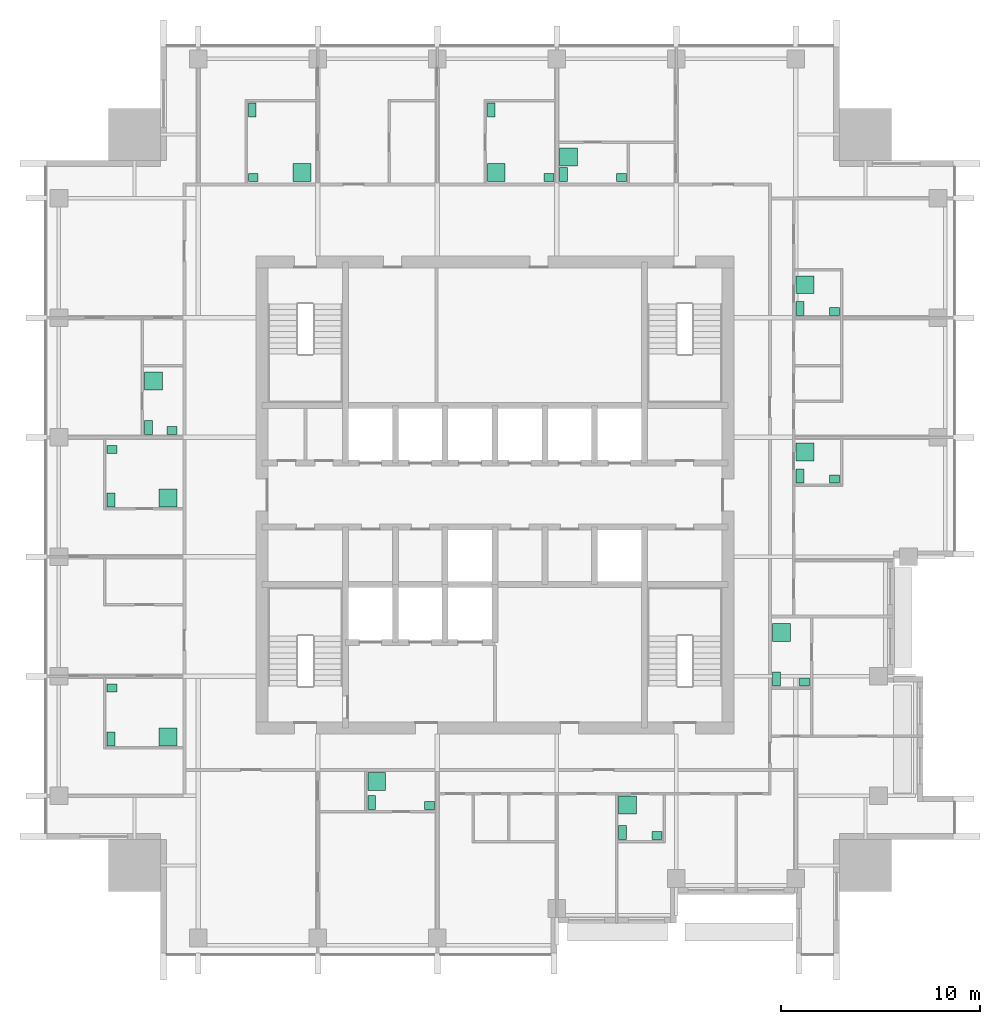
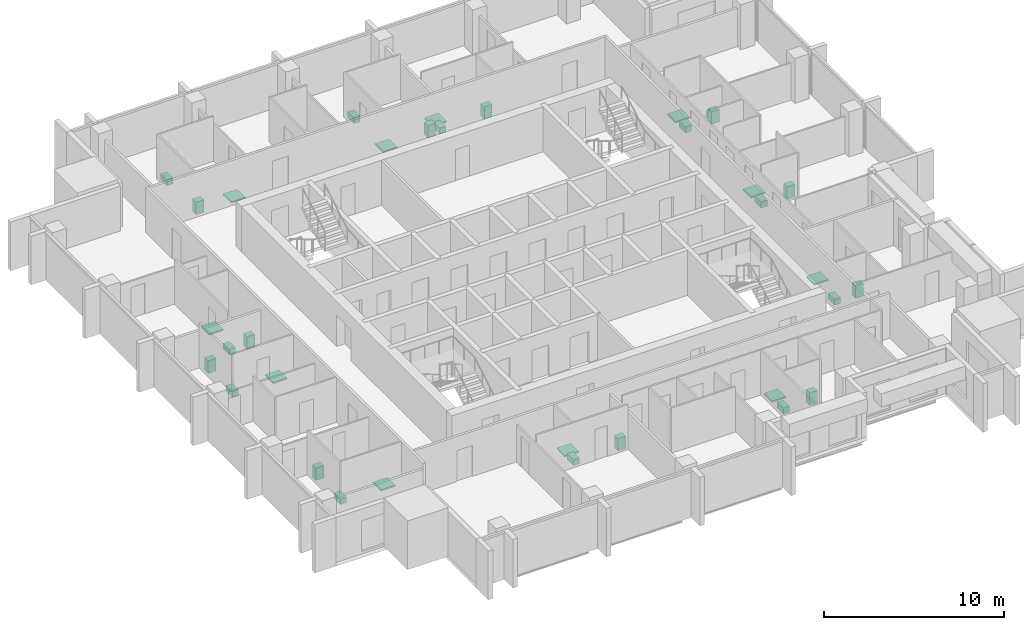
# One storey, part 10 of 10: 33 sanitary terminals.
"""IFC4 building model written with IfcOpenShell, lengths in metres."""

import ifcopenshell
import ifcopenshell.guid

model = None  # the IFC model being written
_history = None  # IfcOwnerHistory: only IFC2X3 demands one
_inside = {}  # id of a spatial element -> (the spatial element, [elements in it])
_under = {}  # id of a project, library or spatial element -> (it, [spatial elements below it])
_declared = {}  # id of a project -> (the project, [libraries it declares])
_typed = {}  # id of a type object -> (the type object, [elements of that type])
_made_of = {}  # id of a material, layer set ... -> (it, [elements and type objects made of it])


def new_model(schema):
    """Start an empty IFC model of exactly this schema.

    Asked for "IFC4X3", IfcOpenShell would pick the latest addendum, in which some entities
    have other attributes; the version numbers below select the first issue.
    IFC2X3 requires an IfcOwnerHistory on every rooted entity: one is made here for all.
    """
    global model, _history
    if schema == "IFC4X3":
        model = ifcopenshell.file(schema_version=(4, 3, 0, 0))
    else:
        model = ifcopenshell.file(schema=schema)
    _inside.clear()
    _under.clear()
    _declared.clear()
    _typed.clear()
    _made_of.clear()
    _history = None
    if model.schema == "IFC2X3":
        org = make("IfcOrganization", Name="unknown")
        user = make(
            "IfcPersonAndOrganization",
            ThePerson=make("IfcPerson", FamilyName="unknown"),
            TheOrganization=org,
        )
        app = make(
            "IfcApplication",
            ApplicationDeveloper=org,
            Version="unknown",
            ApplicationFullName="unknown",
            ApplicationIdentifier="unknown",
        )
        _history = make(
            "IfcOwnerHistory",
            OwningUser=user,
            OwningApplication=app,
            ChangeAction="ADDED",
            CreationDate=0,
        )
    return model


def make(cls, **values):
    """One entity of the class cls with the attributes given. An attribute that is None is left unset."""
    return model.create_entity(
        cls, **{name: value for name, value in values.items() if value is not None}
    )


def rooted(cls, **values):
    """An entity with a GlobalId (a new one), such as an element, a storey or a relation."""
    return make(cls, GlobalId=ifcopenshell.guid.new(), OwnerHistory=_history, **values)


def si_unit(unit_type, name, prefix=None):
    """IfcSIUnit, for example si_unit("LENGTHUNIT", "METRE", prefix="MILLI")."""
    return make("IfcSIUnit", UnitType=unit_type, Prefix=prefix, Name=name)


def assignment(units):
    """IfcUnitAssignment: the units of a project."""
    return None if units is None else make("IfcUnitAssignment", Units=units)


def point(xyz):
    """IfcCartesianPoint."""
    return None if xyz is None else make("IfcCartesianPoint", Coordinates=xyz)


def direction(xyz):
    """IfcDirection."""
    return None if xyz is None else make("IfcDirection", DirectionRatios=xyz)


def frame(location, z_axis=None, x_axis=None):
    """IfcAxis2Placement3D, a coordinate frame: its origin and axes. An axis left out is left unset."""
    return make(
        "IfcAxis2Placement3D",
        Location=point(location),
        Axis=direction(z_axis),
        RefDirection=direction(x_axis),
    )


def frame_2d(location, x_axis=None):
    """IfcAxis2Placement2D, a coordinate frame in the plane: its origin and x axis."""
    return make(
        "IfcAxis2Placement2D", Location=point(location), RefDirection=direction(x_axis)
    )


def origin():
    """The frame at (0, 0, 0) with its axes left unset."""
    return frame((0.0, 0.0, 0.0))


def origin_2d():
    """The frame at (0, 0) in the plane with its x axis left unset."""
    return frame_2d((0.0, 0.0))


def place(relative_to, where):
    """IfcLocalPlacement: puts the frame where relative to a parent placement (None: the world)."""
    return make(
        "IfcLocalPlacement", PlacementRelTo=relative_to, RelativePlacement=where
    )


def context(
    kind, dimensions, precision=None, world=None, true_north=None, identifier=None
):
    """IfcGeometricRepresentationContext, for example the 3D "Model" context."""
    return make(
        "IfcGeometricRepresentationContext",
        ContextIdentifier=identifier,
        ContextType=kind,
        CoordinateSpaceDimension=dimensions,
        Precision=precision,
        WorldCoordinateSystem=world,
        TrueNorth=true_north,
    )


def subcontext(parent, identifier, kind, view, scale=None):
    """IfcGeometricRepresentationSubContext, for example "Body" below "Model"."""
    return make(
        "IfcGeometricRepresentationSubContext",
        ContextIdentifier=identifier,
        ContextType=kind,
        ParentContext=parent,
        TargetScale=scale,
        TargetView=view,
    )


def project(units=None, contexts=None):
    """IfcProject with its units and contexts."""
    return rooted(
        "IfcProject",
        Name="project",
        RepresentationContexts=contexts,
        UnitsInContext=assignment(units),
    )


def spatial(cls, under=None, at=None, **own):
    """A site, building, storey or space (cls), placed at a placement, below another one or the project."""
    s = rooted(cls, ObjectPlacement=at, **own)
    if under is not None:
        _under.setdefault(under.id(), (under, []))[1].append(s)
    return s


def profile(cls, at=None, kind="AREA", **sizes):
    """A parametric profile (cls). Its sizes go by their IFC names, for example OverallWidth=200.0."""
    return make(cls, ProfileType=kind, Position=at, **sizes)


def rectangle(**sizes):
    """IfcRectangleProfileDef."""
    return profile("IfcRectangleProfileDef", **sizes)


def extrude(swept, where, along, depth):
    """IfcExtrudedAreaSolid: the profile swept, set in the frame where, extruded along a direction by depth."""
    return make(
        "IfcExtrudedAreaSolid",
        SweptArea=swept,
        Position=where,
        ExtrudedDirection=direction(along),
        Depth=depth,
    )


def shape(context_of_items, identifier, shape_type, items):
    """IfcShapeRepresentation: the items that make up one representation, for example the "Body"."""
    return make(
        "IfcShapeRepresentation",
        ContextOfItems=context_of_items,
        RepresentationIdentifier=identifier,
        RepresentationType=shape_type,
        Items=items,
    )


def made_of(thing, what):
    """Note that an element or type object is made of a material, layer set ...; save() writes the relation."""
    if what is not None:
        _made_of.setdefault(what.id(), (what, []))[1].append(thing)
    return thing


def element(
    cls,
    number,
    at=None,
    inside=None,
    cuts=None,
    type_object=None,
    material=None,
    context=None,
    identifier="Body",
    shape_type=None,
    held_by="IfcProductDefinitionShape",
    body=None,
    shapes=None,
    **own,
):
    """One element of the class cls, such as IfcWall. Its Tag is "e" and its number.

    at: its placement. inside: the storey or other place that contains it. cuts: it is an
    opening in that element (IfcRelVoidsElement). A single representation is given by context,
    identifier, shape_type and body (its items); several are given by shapes. held_by: the class
    of the entity that holds the representations. save() writes the other relations.
    """
    e = rooted(cls, Tag="e%d" % number, ObjectPlacement=at, **own)
    if body is not None:
        shapes = [shape(context, identifier, shape_type, body)]
    if shapes is not None:
        e.Representation = make(held_by, Representations=shapes)
    if inside is not None:
        _inside.setdefault(inside.id(), (inside, []))[1].append(e)
    if cuts is not None:
        rooted(
            "IfcRelVoidsElement", RelatingBuildingElement=cuts, RelatedOpeningElement=e
        )
    if type_object is not None:
        _typed.setdefault(type_object.id(), (type_object, []))[1].append(e)
    return made_of(e, material)


def aggregate(whole, parts):
    """IfcRelAggregates: a whole, such as a stair, and the parts it consists of."""
    return rooted("IfcRelAggregates", RelatingObject=whole, RelatedObjects=parts)


def save(model, path):
    """Write the relations noted so far, then the file.

    IfcRelAggregates (storeys below a building ...), IfcRelContainedInSpatialStructure (elements
    in a storey), IfcRelDefinesByType, IfcRelAssociatesMaterial and IfcRelDeclares: one each for
    every whole, place, type object, material and project.
    """
    for whole, parts in _under.values():
        aggregate(whole, parts)
    for where, things in _inside.values():
        rooted(
            "IfcRelContainedInSpatialStructure",
            RelatedElements=things,
            RelatingStructure=where,
        )
    for kind, things in _typed.values():
        rooted("IfcRelDefinesByType", RelatedObjects=things, RelatingType=kind)
    for what, things in _made_of.values():
        rooted("IfcRelAssociatesMaterial", RelatedObjects=things, RelatingMaterial=what)
    for by, libraries in _declared.values():
        rooted("IfcRelDeclares", RelatingContext=by, RelatedDefinitions=libraries)
    model.write(path)


model = new_model("IFC4")

# Units and contexts
model_context = context("Model", 3, precision=1e-05, world=origin(), true_north=direction((0.0, 1.0)))
body_context = subcontext(model_context, "Body", "Model", "MODEL_VIEW")
ifc_project = project(units=[si_unit("LENGTHUNIT", "METRE"), si_unit("AREAUNIT", "SQUARE_METRE"), si_unit("VOLUMEUNIT", "CUBIC_METRE"), si_unit("PLANEANGLEUNIT", "RADIAN"), si_unit("MASSUNIT", "GRAM", prefix="KILO")], contexts=[model_context])

# Site, building, storey
site_placement = place(None, origin())
site = spatial("IfcSite", under=ifc_project, at=site_placement, CompositionType="ELEMENT")
building_placement = place(site_placement, origin())
building = spatial("IfcBuilding", under=site, at=building_placement, Name="Amberfall Residences", CompositionType="ELEMENT")
storey_placement = place(building_placement, frame((0.0, 0.0, 203.5)))
storey = spatial("IfcBuildingStorey", under=building, at=storey_placement, Name="L54", CompositionType="ELEMENT", Elevation=203.5)

# Sanitary terminals
sanitary_terminal_1_placement = place(storey_placement, frame((68.31005859375, 30.06005859375, 0.0), z_axis=(0.0, 0.0, 1.0), x_axis=(1.0, 0.0, 0.0)))
element("IfcSanitaryTerminal", 1, at=sanitary_terminal_1_placement, inside=storey, Name="Water closet 5401", PredefinedType="TOILETPAN", context=body_context, shape_type="SweptSolid", body=[
    extrude(rectangle(XDim=0.39990234375, YDim=0.699951171875, at=origin_2d()), origin(), (0.0, 0.0, 1.0), 0.39990234375),
])
sanitary_terminal_2_placement = place(storey_placement, frame((71.215087890625, 29.909912109375, 0.0), z_axis=(0.0, 0.0, 1.0), x_axis=(1.0, 0.0, 0.0)))
element("IfcSanitaryTerminal", 2, at=sanitary_terminal_2_placement, inside=storey, Name="Basin 5401", PredefinedType="WASHHANDBASIN", context=body_context, shape_type="SweptSolid", body=[
    extrude(rectangle(XDim=0.5, YDim=0.39990234375, at=origin_2d()), origin(), (0.0, 0.0, 1.0), 0.85009765625),
])
sanitary_terminal_3_placement = place(storey_placement, frame((68.56005859375, 31.114990234375, 0.0), z_axis=(0.0, 0.0, 1.0), x_axis=(1.0, 0.0, 0.0)))
element("IfcSanitaryTerminal", 3, at=sanitary_terminal_3_placement, inside=storey, Name="Shower tray 5401", PredefinedType="SHOWER", context=body_context, shape_type="SweptSolid", body=[
    extrude(rectangle(XDim=0.89990234375, YDim=0.89990234375, at=origin_2d()), origin(), (0.0, 0.0, 1.0), 0.10009765625),
])
sanitary_terminal_4_placement = place(storey_placement, frame((80.909912109375, 28.56005859375, 0.0), z_axis=(0.0, 0.0, 1.0), x_axis=(1.0, 0.0, 0.0)))
element("IfcSanitaryTerminal", 4, at=sanitary_terminal_4_placement, inside=storey, Name="Water closet 5402", PredefinedType="TOILETPAN", context=body_context, shape_type="SweptSolid", body=[
    extrude(rectangle(XDim=0.39990234375, YDim=0.699951171875, at=origin_2d()), origin(), (0.0, 0.0, 1.0), 0.39990234375),
])
sanitary_terminal_5_placement = place(storey_placement, frame((82.639892578125, 28.409912109375, 0.0), z_axis=(0.0, 0.0, 1.0), x_axis=(1.0, 0.0, 0.0)))
element("IfcSanitaryTerminal", 5, at=sanitary_terminal_5_placement, inside=storey, Name="Basin 5402", PredefinedType="WASHHANDBASIN", context=body_context, shape_type="SweptSolid", body=[
    extrude(rectangle(XDim=0.5, YDim=0.39990234375, at=origin_2d()), origin(), (0.0, 0.0, 1.0), 0.85009765625),
])
sanitary_terminal_6_placement = place(storey_placement, frame((81.159912109375, 29.93994140625, 0.0), z_axis=(0.0, 0.0, 1.0), x_axis=(1.0, 0.0, 0.0)))
element("IfcSanitaryTerminal", 6, at=sanitary_terminal_6_placement, inside=storey, Name="Shower tray 5402", PredefinedType="SHOWER", context=body_context, shape_type="SweptSolid", body=[
    extrude(rectangle(XDim=0.89990234375, YDim=0.89990234375, at=origin_2d()), origin(), (0.0, 0.0, 1.0), 0.10009765625),
])
sanitary_terminal_7_placement = place(storey_placement, frame((88.635009765625, 36.260009765625, 0.0), z_axis=(0.0, 0.0, 1.0), x_axis=(1.0, 0.0, 0.0)))
element("IfcSanitaryTerminal", 7, at=sanitary_terminal_7_placement, inside=storey, Name="Water closet 5403", PredefinedType="TOILETPAN", context=body_context, shape_type="SweptSolid", body=[
    extrude(rectangle(XDim=0.39990234375, YDim=0.699951171875, at=origin_2d()), origin(), (0.0, 0.0, 1.0), 0.39990234375),
])
sanitary_terminal_8_placement = place(storey_placement, frame((90.0400390625, 36.110107421875, 0.0), z_axis=(0.0, 0.0, 1.0), x_axis=(1.0, 0.0, 0.0)))
element("IfcSanitaryTerminal", 8, at=sanitary_terminal_8_placement, inside=storey, Name="Basin 5403", PredefinedType="WASHHANDBASIN", context=body_context, shape_type="SweptSolid", body=[
    extrude(rectangle(XDim=0.5, YDim=0.39990234375, at=origin_2d()), origin(), (0.0, 0.0, 1.0), 0.85009765625),
])
sanitary_terminal_9_placement = place(storey_placement, frame((88.885009765625, 38.591796875, 0.0), z_axis=(0.0, 0.0, 1.0), x_axis=(1.0, 0.0, 0.0)))
element("IfcSanitaryTerminal", 9, at=sanitary_terminal_9_placement, inside=storey, Name="Shower tray 5403", PredefinedType="SHOWER", context=body_context, shape_type="SweptSolid", body=[
    extrude(rectangle(XDim=0.89990234375, YDim=0.89990234375, at=origin_2d()), origin(), (0.0, 0.0, 1.0), 0.10009765625),
])
sanitary_terminal_10_placement = place(storey_placement, frame((89.81005859375, 46.4599609375, 0.0), z_axis=(0.0, 0.0, 1.0), x_axis=(1.0, 0.0, 0.0)))
element("IfcSanitaryTerminal", 10, at=sanitary_terminal_10_placement, inside=storey, Name="Water closet 5404", PredefinedType="TOILETPAN", context=body_context, shape_type="SweptSolid", body=[
    extrude(rectangle(XDim=0.39990234375, YDim=0.699951171875, at=origin_2d()), origin(), (0.0, 0.0, 1.0), 0.39990234375),
])
sanitary_terminal_11_placement = place(storey_placement, frame((91.5400390625, 46.31005859375, 0.0), z_axis=(0.0, 0.0, 1.0), x_axis=(1.0, 0.0, 0.0)))
element("IfcSanitaryTerminal", 11, at=sanitary_terminal_11_placement, inside=storey, Name="Basin 5404", PredefinedType="WASHHANDBASIN", context=body_context, shape_type="SweptSolid", body=[
    extrude(rectangle(XDim=0.5, YDim=0.39990234375, at=origin_2d()), origin(), (0.0, 0.0, 1.0), 0.85009765625),
])
sanitary_terminal_12_placement = place(storey_placement, frame((90.06005859375, 47.6572265625, 0.0), z_axis=(0.0, 0.0, 1.0), x_axis=(1.0, 0.0, 0.0)))
element("IfcSanitaryTerminal", 12, at=sanitary_terminal_12_placement, inside=storey, Name="Shower tray 5404", PredefinedType="SHOWER", context=body_context, shape_type="SweptSolid", body=[
    extrude(rectangle(XDim=0.89990234375, YDim=0.89990234375, at=origin_2d()), origin(), (0.0, 0.0, 1.0), 0.10009765625),
])
sanitary_terminal_13_placement = place(storey_placement, frame((89.81005859375, 54.860107421875, 0.0), z_axis=(0.0, 0.0, 1.0), x_axis=(1.0, 0.0, 0.0)))
element("IfcSanitaryTerminal", 13, at=sanitary_terminal_13_placement, inside=storey, Name="Water closet 5404", PredefinedType="TOILETPAN", context=body_context, shape_type="SweptSolid", body=[
    extrude(rectangle(XDim=0.39990234375, YDim=0.699951171875, at=origin_2d()), origin(), (0.0, 0.0, 1.0), 0.39990234375),
])
sanitary_terminal_14_placement = place(storey_placement, frame((91.5400390625, 54.7099609375, 0.0), z_axis=(0.0, 0.0, 1.0), x_axis=(1.0, 0.0, 0.0)))
element("IfcSanitaryTerminal", 14, at=sanitary_terminal_14_placement, inside=storey, Name="Basin 5404", PredefinedType="WASHHANDBASIN", context=body_context, shape_type="SweptSolid", body=[
    extrude(rectangle(XDim=0.5, YDim=0.39990234375, at=origin_2d()), origin(), (0.0, 0.0, 1.0), 0.85009765625),
])
sanitary_terminal_15_placement = place(storey_placement, frame((90.06005859375, 56.05712890625, 0.0), z_axis=(0.0, 0.0, 1.0), x_axis=(1.0, 0.0, 0.0)))
element("IfcSanitaryTerminal", 15, at=sanitary_terminal_15_placement, inside=storey, Name="Shower tray 5404", PredefinedType="SHOWER", context=body_context, shape_type="SweptSolid", body=[
    extrude(rectangle(XDim=0.89990234375, YDim=0.89990234375, at=origin_2d()), origin(), (0.0, 0.0, 1.0), 0.10009765625),
])
sanitary_terminal_16_placement = place(storey_placement, frame((62.31005859375, 64.840087890625, 0.0), z_axis=(0.0, 0.0, 1.0), x_axis=(1.0, 0.0, 0.0)))
element("IfcSanitaryTerminal", 16, at=sanitary_terminal_16_placement, inside=storey, Name="Water closet 5405", PredefinedType="TOILETPAN", context=body_context, shape_type="SweptSolid", body=[
    extrude(rectangle(XDim=0.39990234375, YDim=0.699951171875, at=origin_2d()), origin(), (0.0, 0.0, 1.0), 0.39990234375),
])
sanitary_terminal_17_placement = place(storey_placement, frame((62.360107421875, 61.43505859375, 0.0), z_axis=(0.0, 0.0, 1.0), x_axis=(1.0, 0.0, 0.0)))
element("IfcSanitaryTerminal", 17, at=sanitary_terminal_17_placement, inside=storey, Name="Basin 5405", PredefinedType="WASHHANDBASIN", context=body_context, shape_type="SweptSolid", body=[
    extrude(rectangle(XDim=0.5, YDim=0.39990234375, at=origin_2d()), origin(), (0.0, 0.0, 1.0), 0.85009765625),
])
sanitary_terminal_18_placement = place(storey_placement, frame((64.814453125, 61.68505859375, 0.0), z_axis=(0.0, 0.0, 1.0), x_axis=(1.0, 0.0, 0.0)))
element("IfcSanitaryTerminal", 18, at=sanitary_terminal_18_placement, inside=storey, Name="Shower tray 5405", PredefinedType="SHOWER", context=body_context, shape_type="SweptSolid", body=[
    extrude(rectangle(XDim=0.89990234375, YDim=0.89990234375, at=origin_2d()), origin(), (0.0, 0.0, 1.0), 0.10009765625),
])
sanitary_terminal_19_placement = place(storey_placement, frame((74.31005859375, 64.840087890625, 0.0), z_axis=(0.0, 0.0, 1.0), x_axis=(1.0, 0.0, 0.0)))
element("IfcSanitaryTerminal", 19, at=sanitary_terminal_19_placement, inside=storey, Name="Water closet 5405", PredefinedType="TOILETPAN", context=body_context, shape_type="SweptSolid", body=[
    extrude(rectangle(XDim=0.39990234375, YDim=0.699951171875, at=origin_2d()), origin(), (0.0, 0.0, 1.0), 0.39990234375),
])
sanitary_terminal_20_placement = place(storey_placement, frame((77.215087890625, 61.43505859375, 0.0), z_axis=(0.0, 0.0, 1.0), x_axis=(1.0, 0.0, 0.0)))
element("IfcSanitaryTerminal", 20, at=sanitary_terminal_20_placement, inside=storey, Name="Basin 5405", PredefinedType="WASHHANDBASIN", context=body_context, shape_type="SweptSolid", body=[
    extrude(rectangle(XDim=0.5, YDim=0.39990234375, at=origin_2d()), origin(), (0.0, 0.0, 1.0), 0.85009765625),
])
sanitary_terminal_21_placement = place(storey_placement, frame((74.56005859375, 61.68505859375, 0.0), z_axis=(0.0, 0.0, 1.0), x_axis=(1.0, 0.0, 0.0)))
element("IfcSanitaryTerminal", 21, at=sanitary_terminal_21_placement, inside=storey, Name="Shower tray 5405", PredefinedType="SHOWER", context=body_context, shape_type="SweptSolid", body=[
    extrude(rectangle(XDim=0.89990234375, YDim=0.89990234375, at=origin_2d()), origin(), (0.0, 0.0, 1.0), 0.10009765625),
])
sanitary_terminal_22_placement = place(storey_placement, frame((77.93505859375, 61.5849609375, 0.0), z_axis=(0.0, 0.0, 1.0), x_axis=(1.0, 0.0, 0.0)))
element("IfcSanitaryTerminal", 22, at=sanitary_terminal_22_placement, inside=storey, Name="Water closet 5406", PredefinedType="TOILETPAN", context=body_context, shape_type="SweptSolid", body=[
    extrude(rectangle(XDim=0.39990234375, YDim=0.699951171875, at=origin_2d()), origin(), (0.0, 0.0, 1.0), 0.39990234375),
])
sanitary_terminal_23_placement = place(storey_placement, frame((80.840087890625, 61.43505859375, 0.0), z_axis=(0.0, 0.0, 1.0), x_axis=(1.0, 0.0, 0.0)))
element("IfcSanitaryTerminal", 23, at=sanitary_terminal_23_placement, inside=storey, Name="Basin 5406", PredefinedType="WASHHANDBASIN", context=body_context, shape_type="SweptSolid", body=[
    extrude(rectangle(XDim=0.5, YDim=0.39990234375, at=origin_2d()), origin(), (0.0, 0.0, 1.0), 0.85009765625),
])
sanitary_terminal_24_placement = place(storey_placement, frame((78.18505859375, 62.480712890625, 0.0), z_axis=(0.0, 0.0, 1.0), x_axis=(1.0, 0.0, 0.0)))
element("IfcSanitaryTerminal", 24, at=sanitary_terminal_24_placement, inside=storey, Name="Shower tray 5406", PredefinedType="SHOWER", context=body_context, shape_type="SweptSolid", body=[
    extrude(rectangle(XDim=0.89990234375, YDim=0.89990234375, at=origin_2d()), origin(), (0.0, 0.0, 1.0), 0.10009765625),
])
sanitary_terminal_25_placement = place(storey_placement, frame((55.2099609375, 33.260009765625, 0.0), z_axis=(0.0, 0.0, 1.0), x_axis=(1.0, 0.0, 0.0)))
element("IfcSanitaryTerminal", 25, at=sanitary_terminal_25_placement, inside=storey, Name="Water closet 5407", PredefinedType="TOILETPAN", context=body_context, shape_type="SweptSolid", body=[
    extrude(rectangle(XDim=0.39990234375, YDim=0.699951171875, at=origin_2d()), origin(), (0.0, 0.0, 1.0), 0.39990234375),
])
sanitary_terminal_26_placement = place(storey_placement, frame((55.260009765625, 35.819091796875, 0.0), z_axis=(0.0, 0.0, 1.0), x_axis=(1.0, 0.0, 0.0)))
element("IfcSanitaryTerminal", 26, at=sanitary_terminal_26_placement, inside=storey, Name="Basin 5407", PredefinedType="WASHHANDBASIN", context=body_context, shape_type="SweptSolid", body=[
    extrude(rectangle(XDim=0.5, YDim=0.39990234375, at=origin_2d()), origin(), (0.0, 0.0, 1.0), 0.85009765625),
])
sanitary_terminal_27_placement = place(storey_placement, frame((58.0771484375, 33.360107421875, 0.0), z_axis=(0.0, 0.0, 1.0), x_axis=(1.0, 0.0, 0.0)))
element("IfcSanitaryTerminal", 27, at=sanitary_terminal_27_placement, inside=storey, Name="Shower tray 5407", PredefinedType="SHOWER", context=body_context, shape_type="SweptSolid", body=[
    extrude(rectangle(XDim=0.89990234375, YDim=0.89990234375, at=origin_2d()), origin(), (0.0, 0.0, 1.0), 0.10009765625),
])
sanitary_terminal_28_placement = place(storey_placement, frame((55.2099609375, 45.260009765625, 0.0), z_axis=(0.0, 0.0, 1.0), x_axis=(1.0, 0.0, 0.0)))
element("IfcSanitaryTerminal", 28, at=sanitary_terminal_28_placement, inside=storey, Name="Water closet 5407", PredefinedType="TOILETPAN", context=body_context, shape_type="SweptSolid", body=[
    extrude(rectangle(XDim=0.39990234375, YDim=0.699951171875, at=origin_2d()), origin(), (0.0, 0.0, 1.0), 0.39990234375),
])
sanitary_terminal_29_placement = place(storey_placement, frame((55.260009765625, 47.79638671875, 0.0), z_axis=(0.0, 0.0, 1.0), x_axis=(1.0, 0.0, 0.0)))
element("IfcSanitaryTerminal", 29, at=sanitary_terminal_29_placement, inside=storey, Name="Basin 5407", PredefinedType="WASHHANDBASIN", context=body_context, shape_type="SweptSolid", body=[
    extrude(rectangle(XDim=0.5, YDim=0.39990234375, at=origin_2d()), origin(), (0.0, 0.0, 1.0), 0.85009765625),
])
sanitary_terminal_30_placement = place(storey_placement, frame((58.0771484375, 45.360107421875, 0.0), z_axis=(0.0, 0.0, 1.0), x_axis=(1.0, 0.0, 0.0)))
element("IfcSanitaryTerminal", 30, at=sanitary_terminal_30_placement, inside=storey, Name="Shower tray 5407", PredefinedType="SHOWER", context=body_context, shape_type="SweptSolid", body=[
    extrude(rectangle(XDim=0.89990234375, YDim=0.89990234375, at=origin_2d()), origin(), (0.0, 0.0, 1.0), 0.10009765625),
])
sanitary_terminal_31_placement = place(storey_placement, frame((57.110107421875, 48.885009765625, 0.0), z_axis=(0.0, 0.0, 1.0), x_axis=(1.0, 0.0, 0.0)))
element("IfcSanitaryTerminal", 31, at=sanitary_terminal_31_placement, inside=storey, Name="Water closet 5408", PredefinedType="TOILETPAN", context=body_context, shape_type="SweptSolid", body=[
    extrude(rectangle(XDim=0.39990234375, YDim=0.699951171875, at=origin_2d()), origin(), (0.0, 0.0, 1.0), 0.39990234375),
])
sanitary_terminal_32_placement = place(storey_placement, frame((58.2890625, 48.735107421875, 0.0), z_axis=(0.0, 0.0, 1.0), x_axis=(1.0, 0.0, 0.0)))
element("IfcSanitaryTerminal", 32, at=sanitary_terminal_32_placement, inside=storey, Name="Basin 5408", PredefinedType="WASHHANDBASIN", context=body_context, shape_type="SweptSolid", body=[
    extrude(rectangle(XDim=0.5, YDim=0.39990234375, at=origin_2d()), origin(), (0.0, 0.0, 1.0), 0.85009765625),
])
sanitary_terminal_33_placement = place(storey_placement, frame((57.360107421875, 51.216796875, 0.0), z_axis=(0.0, 0.0, 1.0), x_axis=(1.0, 0.0, 0.0)))
element("IfcSanitaryTerminal", 33, at=sanitary_terminal_33_placement, inside=storey, Name="Shower tray 5408", PredefinedType="SHOWER", context=body_context, shape_type="SweptSolid", body=[
    extrude(rectangle(XDim=0.89990234375, YDim=0.89990234375, at=origin_2d()), origin(), (0.0, 0.0, 1.0), 0.10009765625),
])

save(model, "model.ifc")
